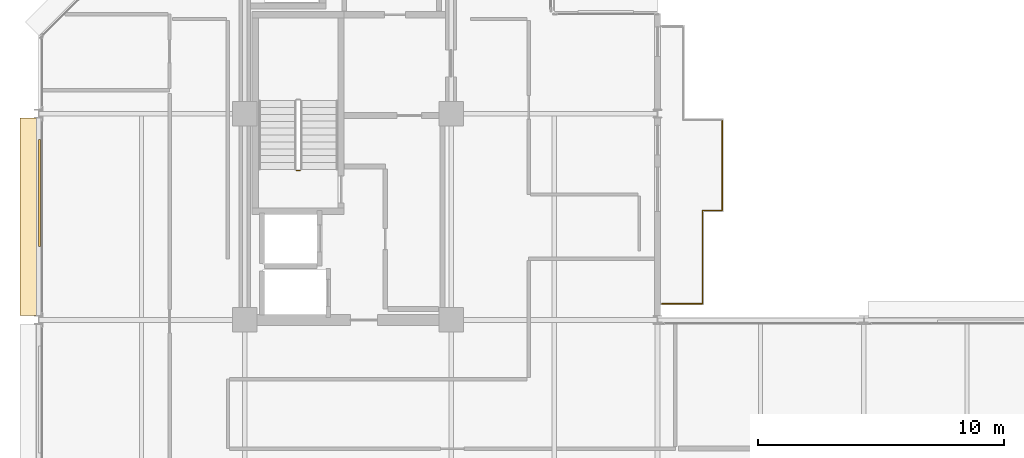
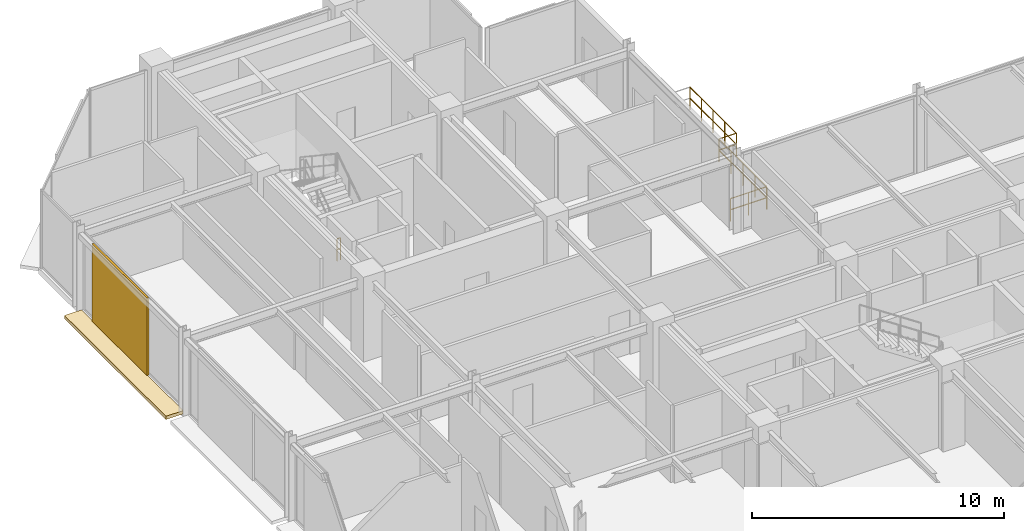
# One storey, part 24 of 26: 5 railings, 2 coverings.
"""IFC4 building model written with IfcOpenShell, lengths in metres."""

from ifc_helpers import new_model, si_unit, direction, frame, origin, origin_2d, place, context, subcontext, project, spatial, polyline, rectangle, circle, outline, extrude, material, layer, layer_set, type_object, element, save


model = new_model("IFC4")

# Units and contexts
model_context = context("Model", 3, precision=1e-05, world=origin(), true_north=direction((0.0, 1.0)))
body_context = subcontext(model_context, "Body", "Model", "MODEL_VIEW")
ifc_project = project(units=[si_unit("LENGTHUNIT", "METRE"), si_unit("AREAUNIT", "SQUARE_METRE"), si_unit("VOLUMEUNIT", "CUBIC_METRE"), si_unit("PLANEANGLEUNIT", "RADIAN"), si_unit("MASSUNIT", "GRAM", prefix="KILO")], contexts=[model_context])

# Site, building, storey
site_placement = place(None, origin())
site = spatial("IfcSite", under=ifc_project, at=site_placement, CompositionType="ELEMENT")
building_placement = place(site_placement, origin())
building = spatial("IfcBuilding", under=site, at=building_placement, Name="Nerrivon Quay Data Exchange", CompositionType="ELEMENT")
storey_placement = place(building_placement, frame((0.0, 0.0, 241.10009765625)))
storey = spatial("IfcBuildingStorey", under=building, at=storey_placement, Name="L57", CompositionType="ELEMENT", Elevation=241.10009765625)

# Coverings
ifc_material_1 = material(Name="Architectural terracotta ceramic", Category="masonry")
ifc_layer_1 = layer(ifc_material_1, 0.159912109375)
ifc_layer_set_1 = layer_set([ifc_layer_1], Name="Architectural terracotta ceramic")
covering_type_1 = type_object("IfcCoveringType", Name="COV-BLD-TERR", PredefinedType="CLADDING", material=ifc_layer_set_1)
covering_1_placement = place(storey_placement, frame((0.0, 0.0, -0.16015625)))
element("IfcCovering", 1, at=covering_1_placement, inside=storey, type_object=covering_type_1, Name="L57 Horizontal Terracotta SOLAR SCREEN Blade", PredefinedType="CLADDING", context=body_context, shape_type="SweptSolid", body=[
    extrude(outline(polyline([(0.0400390625, 25.375), (0.0400390625, 33.425048828125), (-0.75, 33.425048828125), (-0.75, 25.375), (0.0400390625, 25.375)])), origin(), (0.0, 0.0, 1.0), 0.16015625),
])
ifc_layer_2 = layer(ifc_material_1, 0.090087890625)
ifc_layer_set_2 = layer_set([ifc_layer_2], Name="Architectural terracotta ceramic")
covering_type_2 = type_object("IfcCoveringType", Name="COV-SCR-TERR", PredefinedType="CLADDING", material=ifc_layer_set_2)
covering_2_placement = place(storey_placement, frame((0.044921875, 30.365966796875, 0.0), z_axis=(0.0, 0.0, 1.0), x_axis=(0.0, 1.0, 0.0)))
element("IfcCovering", 2, at=covering_2_placement, inside=storey, type_object=covering_type_2, Name="L57 Perforated Terracotta SOLAR SCREEN Cassette", PredefinedType="CLADDING", context=body_context, shape_type="SweptSolid", body=[
    extrude(rectangle(XDim=4.346923828125, YDim=0.090087890625, at=origin_2d()), origin(), (0.0, 0.0, 1.0), 3.75),
])

# Railings
ifc_material_2 = material(Name="Steel Grade C350L0 (350 MPa)", Category="steel")
railing_type_1 = type_object("IfcRailingType", Name="RAIL-GUARD-GR2", PredefinedType="BALUSTRADE", material=ifc_material_2)
railing_1_placement = place(storey_placement, frame((27.0400390625, 29.659912109375, 0.0)))
element("IfcRailing", 3, at=railing_1_placement, inside=storey, type_object=railing_type_1, Name="L57 Verandah Balcony Guard 1.1 1", PredefinedType="BALUSTRADE", context=body_context, shape_type="SweptSolid", body=[
    extrude(circle(Radius=0.02392578125, at=origin_2d()), frame((0.0, 0.0, 1.09619140625), z_axis=(0.0, -1.0, 0.0), x_axis=(1.0, 0.0, 0.0)), (0.0, 0.0, 1.0), 3.7998046875),
    extrude(circle(Radius=0.02392578125, at=origin_2d()), frame((0.0, 0.0, 0.56005859375), z_axis=(0.0, -1.0, 0.0), x_axis=(1.0, 0.0, 0.0)), (0.0, 0.0, 1.0), 3.7998046875),
    extrude(circle(Radius=0.02099609375, at=origin_2d()), origin(), (0.0, 0.0, 1.0), 1.072021484375),
    extrude(circle(Radius=0.02099609375, at=origin_2d()), frame((0.0, -0.949951171875, 0.0)), (0.0, 0.0, 1.0), 1.072021484375),
    extrude(circle(Radius=0.02099609375, at=origin_2d()), frame((0.0, -1.89990234375, 0.0)), (0.0, 0.0, 1.0), 1.072021484375),
    extrude(circle(Radius=0.02099609375, at=origin_2d()), frame((0.0, -2.849853515625, 0.0)), (0.0, 0.0, 1.0), 1.072021484375),
    extrude(circle(Radius=0.02099609375, at=origin_2d()), frame((0.0, -3.7998046875, 0.0)), (0.0, 0.0, 1.0), 1.072021484375),
])
railing_2_placement = place(storey_placement, frame((27.0400390625, 25.860107421875, 0.0)))
element("IfcRailing", 4, at=railing_2_placement, inside=storey, type_object=railing_type_1, Name="L57 Verandah Balcony Guard 1.2 1", PredefinedType="BALUSTRADE", context=body_context, shape_type="SweptSolid", body=[
    extrude(circle(Radius=0.02392578125, at=origin_2d()), frame((0.0, 0.0, 1.09619140625), z_axis=(-1.0, 0.0, 0.0), x_axis=(0.0, -1.0, 0.0)), (0.0, 0.0, 1.0), 1.66015625),
    extrude(circle(Radius=0.02392578125, at=origin_2d()), frame((0.0, 0.0, 0.56005859375), z_axis=(-1.0, 0.0, 0.0), x_axis=(0.0, -1.0, 0.0)), (0.0, 0.0, 1.0), 1.66015625),
    extrude(circle(Radius=0.02099609375, at=origin_2d()), origin(), (0.0, 0.0, 1.0), 1.072021484375),
    extrude(circle(Radius=0.02099609375, at=origin_2d()), frame((-0.830078125, 0.0, 0.0)), (0.0, 0.0, 1.0), 1.072021484375),
    extrude(circle(Radius=0.02099609375, at=origin_2d()), frame((-1.66015625, 0.0, 0.0)), (0.0, 0.0, 1.0), 1.072021484375),
])
railing_3_placement = place(storey_placement, frame((27.840087890625, 33.340087890625, 0.0)))
element("IfcRailing", 5, at=railing_3_placement, inside=storey, type_object=railing_type_1, Name="L57 Verandah Balcony Guard 1.6 1", PredefinedType="BALUSTRADE", context=body_context, shape_type="SweptSolid", body=[
    extrude(circle(Radius=0.02392578125, at=origin_2d()), frame((0.0, 0.0, 1.09619140625), z_axis=(0.0, -1.0, 0.0), x_axis=(1.0, 0.0, 0.0)), (0.0, 0.0, 1.0), 3.68017578125),
    extrude(circle(Radius=0.02392578125, at=origin_2d()), frame((0.0, 0.0, 0.56005859375), z_axis=(0.0, -1.0, 0.0), x_axis=(1.0, 0.0, 0.0)), (0.0, 0.0, 1.0), 3.68017578125),
    extrude(circle(Radius=0.02099609375, at=origin_2d()), origin(), (0.0, 0.0, 1.0), 1.072021484375),
    extrude(circle(Radius=0.02099609375, at=origin_2d()), frame((0.0, -0.919921875, 0.0)), (0.0, 0.0, 1.0), 1.072021484375),
    extrude(circle(Radius=0.02099609375, at=origin_2d()), frame((0.0, -1.840087890625, 0.0)), (0.0, 0.0, 1.0), 1.072021484375),
    extrude(circle(Radius=0.02099609375, at=origin_2d()), frame((0.0, -2.76025390625, 0.0)), (0.0, 0.0, 1.0), 1.072021484375),
    extrude(circle(Radius=0.02099609375, at=origin_2d()), frame((0.0, -3.68017578125, 0.0)), (0.0, 0.0, 1.0), 1.072021484375),
])
railing_4_placement = place(storey_placement, frame((27.840087890625, 29.659912109375, 0.0)))
element("IfcRailing", 6, at=railing_4_placement, inside=storey, type_object=railing_type_1, Name="L57 Verandah Balcony Guard 1.7 1", PredefinedType="BALUSTRADE", context=body_context, shape_type="SweptSolid", body=[
    extrude(circle(Radius=0.02392578125, at=origin_2d()), frame((0.0, 0.0, 1.09619140625), z_axis=(-1.0, 0.0, 0.0), x_axis=(0.0, -1.0, 0.0)), (0.0, 0.0, 1.0), 0.800048828125),
    extrude(circle(Radius=0.02392578125, at=origin_2d()), frame((0.0, 0.0, 0.56005859375), z_axis=(-1.0, 0.0, 0.0), x_axis=(0.0, -1.0, 0.0)), (0.0, 0.0, 1.0), 0.800048828125),
    extrude(circle(Radius=0.02099609375, at=origin_2d()), origin(), (0.0, 0.0, 1.0), 1.072021484375),
    extrude(circle(Radius=0.02099609375, at=origin_2d()), frame((-0.800048828125, 0.0, 0.0)), (0.0, 0.0, 1.0), 1.072021484375),
])
railing_type_2 = type_object("IfcRailingType", Name="RAIL-STAIR-GR1", PredefinedType="BALUSTRADE", material=ifc_material_2)
railing_5_placement = place(storey_placement, frame((10.64990234375, 31.280029296875, 0.0)))
element("IfcRailing", 7, at=railing_5_placement, inside=storey, type_object=railing_type_2, Name="L57 ST01 stair guard 4", PredefinedType="BALUSTRADE", context=body_context, shape_type="SweptSolid", body=[
    extrude(circle(Radius=0.02392578125, at=origin_2d()), frame((0.0, 0.0, 1.076171875), z_axis=(-1.0, 0.0, 0.0), x_axis=(0.0, -1.0, 0.0)), (0.0, 0.0, 1.0), 0.14990234375),
    extrude(circle(Radius=0.02392578125, at=origin_2d()), frame((0.0, 0.0, 0.550048828125), z_axis=(-1.0, 0.0, 0.0), x_axis=(0.0, -1.0, 0.0)), (0.0, 0.0, 1.0), 0.14990234375),
    extrude(circle(Radius=0.02099609375, at=origin_2d()), origin(), (0.0, 0.0, 1.0), 1.052001953125),
    extrude(circle(Radius=0.02099609375, at=origin_2d()), frame((-0.14990234375, 0.0, 0.0)), (0.0, 0.0, 1.0), 1.052001953125),
])

save(model, "model.ifc")
